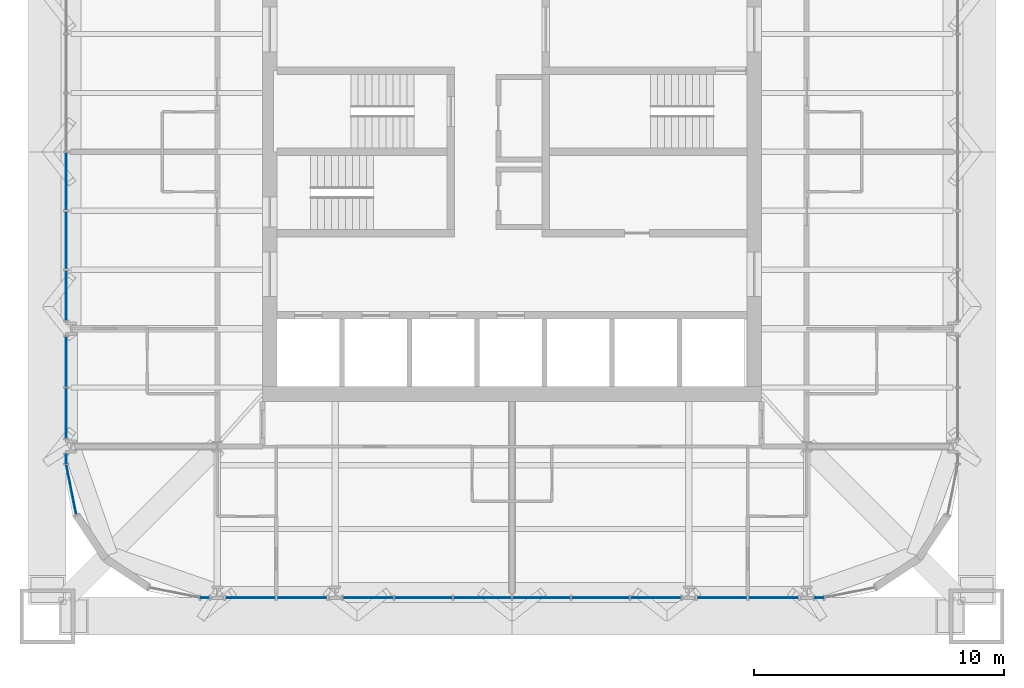
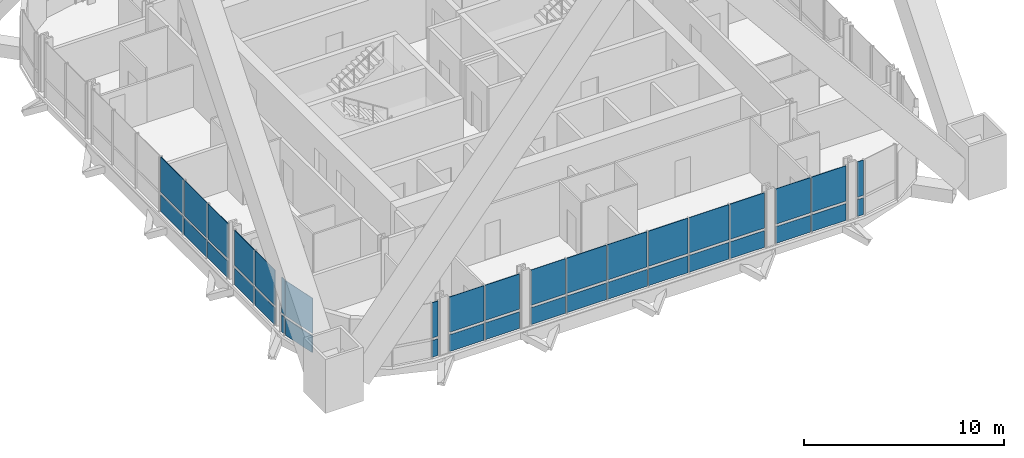
# One storey, part 14 of 23: 38 plates, 9 elements without a shape of their own.
"""IFC4 building model written with IfcOpenShell, lengths in metres."""

from ifc_helpers import new_model, si_unit, direction, frame, origin, origin_2d, place, context, subcontext, project, spatial, rectangle, extrude, material, layer, layer_set, type_object, element, aggregate, save


model = new_model("IFC4")

# Units and contexts
model_context = context("Model", 3, precision=1e-05, world=origin(), true_north=direction((0.0, 1.0)))
body_context = subcontext(model_context, "Body", "Model", "MODEL_VIEW")
ifc_project = project(units=[si_unit("LENGTHUNIT", "METRE"), si_unit("AREAUNIT", "SQUARE_METRE"), si_unit("VOLUMEUNIT", "CUBIC_METRE"), si_unit("PLANEANGLEUNIT", "RADIAN"), si_unit("MASSUNIT", "GRAM", prefix="KILO")], contexts=[model_context])

# Site, building, storey
site_placement = place(None, origin())
site = spatial("IfcSite", under=ifc_project, at=site_placement, CompositionType="ELEMENT")
building_placement = place(site_placement, origin())
building = spatial("IfcBuilding", under=site, at=building_placement, Name="Turquesa Mirador Hotel Tower", CompositionType="ELEMENT")
storey_placement = place(building_placement, frame((0.0, 0.0, 226.699951171875)))
storey = spatial("IfcBuildingStorey", under=building, at=storey_placement, Name="L61", CompositionType="ELEMENT", Elevation=226.699951171875)

# Curtain wall, plates
ifc_material_1 = material(Name="Aluminium extrusion", Category="aluminium")
curtain_wall_type = type_object("IfcCurtainWallType", Name="CW-4 SUITE FRITTED CURTAIN WALL", PredefinedType="USERDEFINED", material=ifc_material_1)
curtain_wall_1_placement = place(storey_placement, origin())
curtain_wall_1 = element("IfcCurtainWall", 1, at=curtain_wall_1_placement, inside=storey, type_object=curtain_wall_type, Name="CW-4 SUITE FRITTED CURTAIN WALL L61", ObjectType="CURTAIN WALL", PredefinedType="USERDEFINED")
ifc_material_2 = material(Name="Ceramic-printed spandrel glass on an insulated back pan", Category="glass")
ifc_layer_1 = layer(ifc_material_2, 0.050048828125)
ifc_layer_set_1 = layer_set([ifc_layer_1], Name="CW PANEL SPANDREL CERAMIC")
plate_type_1 = type_object("IfcPlateType", Name="CW PANEL SPANDREL CERAMIC", PredefinedType="CURTAIN_PANEL", material=ifc_layer_set_1)
plate_1_placement = place(storey_placement, frame((37.14990234375, 43.820068359375, 0.0), z_axis=(0.0, 0.0, 1.0), x_axis=(0.0, -1.0, 0.0)))
plate_1 = element("IfcPlate", 2, at=plate_1_placement, type_object=plate_type_1, Name="Panel", PredefinedType="CURTAIN_PANEL", context=body_context, shape_type="SweptSolid", body=[
    extrude(rectangle(XDim=2.294921875, YDim=0.050048828125, at=origin_2d()), origin(), (0.0, 0.0, 1.0), 1.02490234375),
])
plate_2_placement = place(storey_placement, frame((37.14990234375, 41.4599609375, 0.0), z_axis=(0.0, 0.0, 1.0), x_axis=(0.0, -1.0, 0.0)))
plate_2 = element("IfcPlate", 3, at=plate_2_placement, type_object=plate_type_1, Name="Panel", PredefinedType="CURTAIN_PANEL", context=body_context, shape_type="SweptSolid", body=[
    extrude(rectangle(XDim=2.294921875, YDim=0.050048828125, at=origin_2d()), origin(), (0.0, 0.0, 1.0), 1.02490234375),
])
plate_3_placement = place(storey_placement, frame((37.14990234375, 39.25, 0.0), z_axis=(0.0, 0.0, 1.0), x_axis=(0.0, -1.0, 0.0)))
plate_3 = element("IfcPlate", 4, at=plate_3_placement, type_object=plate_type_1, Name="Panel", PredefinedType="CURTAIN_PANEL", context=body_context, shape_type="SweptSolid", body=[
    extrude(rectangle(XDim=1.9951171875, YDim=0.050048828125, at=origin_2d()), origin(), (0.0, 0.0, 1.0), 1.02490234375),
])

curtain_wall_2_placement = place(storey_placement, origin())
curtain_wall_2 = element("IfcCurtainWall", 5, at=curtain_wall_2_placement, inside=storey, type_object=curtain_wall_type, Name="CW-4 SUITE FRITTED CURTAIN WALL L61", ObjectType="CURTAIN WALL", PredefinedType="USERDEFINED")
plate_4_placement = place(storey_placement, frame((37.14990234375, 36.590087890625, 0.0), z_axis=(0.0, 0.0, 1.0), x_axis=(0.0, -1.0, 0.0)))
plate_4 = element("IfcPlate", 6, at=plate_4_placement, type_object=plate_type_1, Name="Panel", PredefinedType="CURTAIN_PANEL", context=body_context, shape_type="SweptSolid", body=[
    extrude(rectangle(XDim=1.9951171875, YDim=0.050048828125, at=origin_2d()), origin(), (0.0, 0.0, 1.0), 1.02490234375),
])
plate_5_placement = place(storey_placement, frame((37.14990234375, 34.530029296875, 0.0), z_axis=(0.0, 0.0, 1.0), x_axis=(0.0, -1.0, 0.0)))
plate_5 = element("IfcPlate", 7, at=plate_5_placement, type_object=plate_type_1, Name="Panel", PredefinedType="CURTAIN_PANEL", context=body_context, shape_type="SweptSolid", body=[
    extrude(rectangle(XDim=1.9951171875, YDim=0.050048828125, at=origin_2d()), origin(), (0.0, 0.0, 1.0), 1.02490234375),
])

# Curtain wall, plate
curtain_wall_3_placement = place(storey_placement, origin())
curtain_wall_3 = element("IfcCurtainWall", 8, at=curtain_wall_3_placement, inside=storey, type_object=curtain_wall_type, Name="CW-4 SUITE FRITTED CURTAIN WALL L61", ObjectType="CURTAIN WALL", PredefinedType="USERDEFINED")
plate_6_placement = place(storey_placement, frame((37.14990234375, 32.699951171875, 0.0), z_axis=(0.0, 0.0, 1.0), x_axis=(0.0, -1.0, 0.0)))
plate_6 = element("IfcPlate", 9, at=plate_6_placement, type_object=plate_type_1, Name="Panel", PredefinedType="CURTAIN_PANEL", context=body_context, shape_type="SweptSolid", body=[
    extrude(rectangle(XDim=0.3349609375, YDim=0.050048828125, at=origin_2d()), origin(), (0.0, 0.0, 1.0), 1.02490234375),
])

curtain_wall_4_placement = place(storey_placement, origin())
curtain_wall_4 = element("IfcCurtainWall", 10, at=curtain_wall_4_placement, inside=storey, type_object=curtain_wall_type, Name="CW-4 SUITE FRITTED CURTAIN WALL L61", ObjectType="CURTAIN WALL", PredefinedType="USERDEFINED")
plate_7_placement = place(storey_placement, frame((37.353515625, 31.476318359375, 0.0), z_axis=(0.0, 0.0, 1.0), x_axis=(0.195090585221, -0.980785228048, 0.0)))
plate_7 = element("IfcPlate", 11, at=plate_7_placement, type_object=plate_type_1, Name="Panel", PredefinedType="CURTAIN_PANEL", context=body_context, shape_type="SweptSolid", body=[
    extrude(rectangle(XDim=2.0224609375, YDim=0.050048828125, at=origin_2d()), origin(), (0.0, 0.0, 1.0), 1.02490234375),
])

curtain_wall_5_placement = place(storey_placement, origin())
curtain_wall_5 = element("IfcCurtainWall", 12, at=curtain_wall_5_placement, inside=storey, type_object=curtain_wall_type, Name="CW-4 SUITE FRITTED CURTAIN WALL L61", ObjectType="CURTAIN WALL", PredefinedType="USERDEFINED")
plate_8_placement = place(storey_placement, frame((42.699951171875, 27.14990234375, 0.0), z_axis=(0.0, 0.0, 1.0), x_axis=(1.0, 0.0, 0.0)))
plate_8 = element("IfcPlate", 13, at=plate_8_placement, type_object=plate_type_1, Name="Panel", PredefinedType="CURTAIN_PANEL", context=body_context, shape_type="SweptSolid", body=[
    extrude(rectangle(XDim=0.3349609375, YDim=0.050048828125, at=origin_2d()), origin(), (0.0, 0.0, 1.0), 1.02490234375),
])

# Curtain wall, plates
curtain_wall_6_placement = place(storey_placement, origin())
curtain_wall_6 = element("IfcCurtainWall", 14, at=curtain_wall_6_placement, inside=storey, type_object=curtain_wall_type, Name="CW-4 SUITE FRITTED CURTAIN WALL L61", ObjectType="CURTAIN WALL", PredefinedType="USERDEFINED")
plate_9_placement = place(storey_placement, frame((44.530029296875, 27.14990234375, 0.0), z_axis=(0.0, 0.0, 1.0), x_axis=(1.0, 0.0, 0.0)))
plate_9 = element("IfcPlate", 15, at=plate_9_placement, type_object=plate_type_1, Name="Panel", PredefinedType="CURTAIN_PANEL", context=body_context, shape_type="SweptSolid", body=[
    extrude(rectangle(XDim=1.9951171875, YDim=0.050048828125, at=origin_2d()), origin(), (0.0, 0.0, 1.0), 1.02490234375),
])
plate_10_placement = place(storey_placement, frame((46.590087890625, 27.14990234375, 0.0), z_axis=(0.0, 0.0, 1.0), x_axis=(1.0, 0.0, 0.0)))
plate_10 = element("IfcPlate", 16, at=plate_10_placement, type_object=plate_type_1, Name="Panel", PredefinedType="CURTAIN_PANEL", context=body_context, shape_type="SweptSolid", body=[
    extrude(rectangle(XDim=1.9951171875, YDim=0.050048828125, at=origin_2d()), origin(), (0.0, 0.0, 1.0), 1.02490234375),
])

curtain_wall_7_placement = place(storey_placement, origin())
curtain_wall_7 = element("IfcCurtainWall", 17, at=curtain_wall_7_placement, inside=storey, type_object=curtain_wall_type, Name="CW-4 SUITE FRITTED CURTAIN WALL L61", ObjectType="CURTAIN WALL", PredefinedType="USERDEFINED")
plate_11_placement = place(storey_placement, frame((49.25, 27.14990234375, 0.0), z_axis=(0.0, 0.0, 1.0), x_axis=(1.0, 0.0, 0.0)))
plate_11 = element("IfcPlate", 18, at=plate_11_placement, type_object=plate_type_1, Name="Panel", PredefinedType="CURTAIN_PANEL", context=body_context, shape_type="SweptSolid", body=[
    extrude(rectangle(XDim=1.9951171875, YDim=0.050048828125, at=origin_2d()), origin(), (0.0, 0.0, 1.0), 1.02490234375),
])
plate_12_placement = place(storey_placement, frame((51.4599609375, 27.14990234375, 0.0), z_axis=(0.0, 0.0, 1.0), x_axis=(1.0, 0.0, 0.0)))
plate_12 = element("IfcPlate", 19, at=plate_12_placement, type_object=plate_type_1, Name="Panel", PredefinedType="CURTAIN_PANEL", context=body_context, shape_type="SweptSolid", body=[
    extrude(rectangle(XDim=2.294921875, YDim=0.050048828125, at=origin_2d()), origin(), (0.0, 0.0, 1.0), 1.02490234375),
])
plate_13_placement = place(storey_placement, frame((53.820068359375, 27.14990234375, 0.0), z_axis=(0.0, 0.0, 1.0), x_axis=(1.0, 0.0, 0.0)))
plate_13 = element("IfcPlate", 20, at=plate_13_placement, type_object=plate_type_1, Name="Panel", PredefinedType="CURTAIN_PANEL", context=body_context, shape_type="SweptSolid", body=[
    extrude(rectangle(XDim=2.294921875, YDim=0.050048828125, at=origin_2d()), origin(), (0.0, 0.0, 1.0), 1.02490234375),
])
plate_14_placement = place(storey_placement, frame((56.179931640625, 27.14990234375, 0.0), z_axis=(0.0, 0.0, 1.0), x_axis=(1.0, 0.0, 0.0)))
plate_14 = element("IfcPlate", 21, at=plate_14_placement, type_object=plate_type_1, Name="Panel", PredefinedType="CURTAIN_PANEL", context=body_context, shape_type="SweptSolid", body=[
    extrude(rectangle(XDim=2.294921875, YDim=0.050048828125, at=origin_2d()), origin(), (0.0, 0.0, 1.0), 1.02490234375),
])
plate_15_placement = place(storey_placement, frame((58.5400390625, 27.14990234375, 0.0), z_axis=(0.0, 0.0, 1.0), x_axis=(1.0, 0.0, 0.0)))
plate_15 = element("IfcPlate", 22, at=plate_15_placement, type_object=plate_type_1, Name="Panel", PredefinedType="CURTAIN_PANEL", context=body_context, shape_type="SweptSolid", body=[
    extrude(rectangle(XDim=2.294921875, YDim=0.050048828125, at=origin_2d()), origin(), (0.0, 0.0, 1.0), 1.02490234375),
])
plate_16_placement = place(storey_placement, frame((60.75, 27.14990234375, 0.0), z_axis=(0.0, 0.0, 1.0), x_axis=(1.0, 0.0, 0.0)))
plate_16 = element("IfcPlate", 23, at=plate_16_placement, type_object=plate_type_1, Name="Panel", PredefinedType="CURTAIN_PANEL", context=body_context, shape_type="SweptSolid", body=[
    extrude(rectangle(XDim=1.9951171875, YDim=0.050048828125, at=origin_2d()), origin(), (0.0, 0.0, 1.0), 1.02490234375),
])

curtain_wall_8_placement = place(storey_placement, origin())
curtain_wall_8 = element("IfcCurtainWall", 24, at=curtain_wall_8_placement, inside=storey, type_object=curtain_wall_type, Name="CW-4 SUITE FRITTED CURTAIN WALL L61", ObjectType="CURTAIN WALL", PredefinedType="USERDEFINED")
plate_17_placement = place(storey_placement, frame((63.409912109375, 27.14990234375, 0.0), z_axis=(0.0, 0.0, 1.0), x_axis=(1.0, 0.0, 0.0)))
plate_17 = element("IfcPlate", 25, at=plate_17_placement, type_object=plate_type_1, Name="Panel", PredefinedType="CURTAIN_PANEL", context=body_context, shape_type="SweptSolid", body=[
    extrude(rectangle(XDim=1.9951171875, YDim=0.050048828125, at=origin_2d()), origin(), (0.0, 0.0, 1.0), 1.02490234375),
])
plate_18_placement = place(storey_placement, frame((65.469970703125, 27.14990234375, 0.0), z_axis=(0.0, 0.0, 1.0), x_axis=(1.0, 0.0, 0.0)))
plate_18 = element("IfcPlate", 26, at=plate_18_placement, type_object=plate_type_1, Name="Panel", PredefinedType="CURTAIN_PANEL", context=body_context, shape_type="SweptSolid", body=[
    extrude(rectangle(XDim=1.9951171875, YDim=0.050048828125, at=origin_2d()), origin(), (0.0, 0.0, 1.0), 1.02490234375),
])

# Curtain wall, plate
curtain_wall_9_placement = place(storey_placement, origin())
curtain_wall_9 = element("IfcCurtainWall", 27, at=curtain_wall_9_placement, inside=storey, type_object=curtain_wall_type, Name="CW-4 SUITE FRITTED CURTAIN WALL L61", ObjectType="CURTAIN WALL", PredefinedType="USERDEFINED")
plate_19_placement = place(storey_placement, frame((67.300048828125, 27.14990234375, 0.0), z_axis=(0.0, 0.0, 1.0), x_axis=(1.0, 0.0, 0.0)))
plate_19 = element("IfcPlate", 28, at=plate_19_placement, type_object=plate_type_1, Name="Panel", PredefinedType="CURTAIN_PANEL", context=body_context, shape_type="SweptSolid", body=[
    extrude(rectangle(XDim=0.3349609375, YDim=0.050048828125, at=origin_2d()), origin(), (0.0, 0.0, 1.0), 1.02490234375),
])

# Plate
ifc_material_3 = material(Name="Ceramic-fritted laminated glass", Category="glass")
ifc_layer_2 = layer(ifc_material_3, 0.031982421875)
ifc_layer_set_2 = layer_set([ifc_layer_2], Name="CW PANEL VISION FRITTED")
plate_type_2 = type_object("IfcPlateType", Name="CW PANEL VISION FRITTED", PredefinedType="CURTAIN_PANEL", material=ifc_layer_set_2)
plate_20_placement = place(storey_placement, frame((37.14990234375, 43.820068359375, 1.1748046875), z_axis=(0.0, 0.0, 1.0), x_axis=(0.0, -1.0, 0.0)))
plate_20 = element("IfcPlate", 29, at=plate_20_placement, type_object=plate_type_2, Name="Panel", PredefinedType="CURTAIN_PANEL", context=body_context, shape_type="SweptSolid", body=[
    extrude(rectangle(XDim=2.294921875, YDim=0.031982421875, at=origin_2d()), origin(), (0.0, 0.0, 1.0), 2.155029296875),
])

plate_21_placement = place(storey_placement, frame((37.14990234375, 41.4599609375, 1.1748046875), z_axis=(0.0, 0.0, 1.0), x_axis=(0.0, -1.0, 0.0)))
plate_21 = element("IfcPlate", 30, at=plate_21_placement, type_object=plate_type_2, Name="Panel", PredefinedType="CURTAIN_PANEL", context=body_context, shape_type="SweptSolid", body=[
    extrude(rectangle(XDim=2.294921875, YDim=0.031982421875, at=origin_2d()), origin(), (0.0, 0.0, 1.0), 2.155029296875),
])

plate_22_placement = place(storey_placement, frame((37.14990234375, 39.25, 1.1748046875), z_axis=(0.0, 0.0, 1.0), x_axis=(0.0, -1.0, 0.0)))
plate_22 = element("IfcPlate", 31, at=plate_22_placement, type_object=plate_type_2, Name="Panel", PredefinedType="CURTAIN_PANEL", context=body_context, shape_type="SweptSolid", body=[
    extrude(rectangle(XDim=1.9951171875, YDim=0.031982421875, at=origin_2d()), origin(), (0.0, 0.0, 1.0), 2.155029296875),
])

aggregate(curtain_wall_1, [plate_1, plate_20, plate_2, plate_21, plate_3, plate_22])

plate_23_placement = place(storey_placement, frame((37.14990234375, 36.590087890625, 1.1748046875), z_axis=(0.0, 0.0, 1.0), x_axis=(0.0, -1.0, 0.0)))
plate_23 = element("IfcPlate", 32, at=plate_23_placement, type_object=plate_type_2, Name="Panel", PredefinedType="CURTAIN_PANEL", context=body_context, shape_type="SweptSolid", body=[
    extrude(rectangle(XDim=1.9951171875, YDim=0.031982421875, at=origin_2d()), origin(), (0.0, 0.0, 1.0), 2.155029296875),
])

plate_24_placement = place(storey_placement, frame((37.14990234375, 34.530029296875, 1.1748046875), z_axis=(0.0, 0.0, 1.0), x_axis=(0.0, -1.0, 0.0)))
plate_24 = element("IfcPlate", 33, at=plate_24_placement, type_object=plate_type_2, Name="Panel", PredefinedType="CURTAIN_PANEL", context=body_context, shape_type="SweptSolid", body=[
    extrude(rectangle(XDim=1.9951171875, YDim=0.031982421875, at=origin_2d()), origin(), (0.0, 0.0, 1.0), 2.155029296875),
])

aggregate(curtain_wall_2, [plate_4, plate_23, plate_5, plate_24])

plate_25_placement = place(storey_placement, frame((37.14990234375, 32.699951171875, 1.1748046875), z_axis=(0.0, 0.0, 1.0), x_axis=(0.0, -1.0, 0.0)))
plate_25 = element("IfcPlate", 34, at=plate_25_placement, type_object=plate_type_2, Name="Panel", PredefinedType="CURTAIN_PANEL", context=body_context, shape_type="SweptSolid", body=[
    extrude(rectangle(XDim=0.3349609375, YDim=0.031982421875, at=origin_2d()), origin(), (0.0, 0.0, 1.0), 2.155029296875),
])

aggregate(curtain_wall_3, [plate_6, plate_25])

plate_26_placement = place(storey_placement, frame((37.353515625, 31.476318359375, 1.1748046875), z_axis=(0.0, 0.0, 1.0), x_axis=(0.195090585221, -0.980785228048, 0.0)))
plate_26 = element("IfcPlate", 35, at=plate_26_placement, type_object=plate_type_2, Name="Panel", PredefinedType="CURTAIN_PANEL", context=body_context, shape_type="SweptSolid", body=[
    extrude(rectangle(XDim=2.0224609375, YDim=0.031982421875, at=origin_2d()), origin(), (0.0, 0.0, 1.0), 2.155029296875),
])

aggregate(curtain_wall_4, [plate_7, plate_26])

plate_27_placement = place(storey_placement, frame((42.699951171875, 27.14990234375, 1.1748046875), z_axis=(0.0, 0.0, 1.0), x_axis=(1.0, 0.0, 0.0)))
plate_27 = element("IfcPlate", 36, at=plate_27_placement, type_object=plate_type_2, Name="Panel", PredefinedType="CURTAIN_PANEL", context=body_context, shape_type="SweptSolid", body=[
    extrude(rectangle(XDim=0.3349609375, YDim=0.031982421875, at=origin_2d()), origin(), (0.0, 0.0, 1.0), 2.155029296875),
])

aggregate(curtain_wall_5, [plate_8, plate_27])

plate_28_placement = place(storey_placement, frame((44.530029296875, 27.14990234375, 1.1748046875), z_axis=(0.0, 0.0, 1.0), x_axis=(1.0, 0.0, 0.0)))
plate_28 = element("IfcPlate", 37, at=plate_28_placement, type_object=plate_type_2, Name="Panel", PredefinedType="CURTAIN_PANEL", context=body_context, shape_type="SweptSolid", body=[
    extrude(rectangle(XDim=1.9951171875, YDim=0.031982421875, at=origin_2d()), origin(), (0.0, 0.0, 1.0), 2.155029296875),
])

plate_29_placement = place(storey_placement, frame((46.590087890625, 27.14990234375, 1.1748046875), z_axis=(0.0, 0.0, 1.0), x_axis=(1.0, 0.0, 0.0)))
plate_29 = element("IfcPlate", 38, at=plate_29_placement, type_object=plate_type_2, Name="Panel", PredefinedType="CURTAIN_PANEL", context=body_context, shape_type="SweptSolid", body=[
    extrude(rectangle(XDim=1.9951171875, YDim=0.031982421875, at=origin_2d()), origin(), (0.0, 0.0, 1.0), 2.155029296875),
])

aggregate(curtain_wall_6, [plate_9, plate_28, plate_10, plate_29])

plate_30_placement = place(storey_placement, frame((49.25, 27.14990234375, 1.1748046875), z_axis=(0.0, 0.0, 1.0), x_axis=(1.0, 0.0, 0.0)))
plate_30 = element("IfcPlate", 39, at=plate_30_placement, type_object=plate_type_2, Name="Panel", PredefinedType="CURTAIN_PANEL", context=body_context, shape_type="SweptSolid", body=[
    extrude(rectangle(XDim=1.9951171875, YDim=0.031982421875, at=origin_2d()), origin(), (0.0, 0.0, 1.0), 2.155029296875),
])

plate_31_placement = place(storey_placement, frame((51.4599609375, 27.14990234375, 1.1748046875), z_axis=(0.0, 0.0, 1.0), x_axis=(1.0, 0.0, 0.0)))
plate_31 = element("IfcPlate", 40, at=plate_31_placement, type_object=plate_type_2, Name="Panel", PredefinedType="CURTAIN_PANEL", context=body_context, shape_type="SweptSolid", body=[
    extrude(rectangle(XDim=2.294921875, YDim=0.031982421875, at=origin_2d()), origin(), (0.0, 0.0, 1.0), 2.155029296875),
])

plate_32_placement = place(storey_placement, frame((53.820068359375, 27.14990234375, 1.1748046875), z_axis=(0.0, 0.0, 1.0), x_axis=(1.0, 0.0, 0.0)))
plate_32 = element("IfcPlate", 41, at=plate_32_placement, type_object=plate_type_2, Name="Panel", PredefinedType="CURTAIN_PANEL", context=body_context, shape_type="SweptSolid", body=[
    extrude(rectangle(XDim=2.294921875, YDim=0.031982421875, at=origin_2d()), origin(), (0.0, 0.0, 1.0), 2.155029296875),
])

plate_33_placement = place(storey_placement, frame((56.179931640625, 27.14990234375, 1.1748046875), z_axis=(0.0, 0.0, 1.0), x_axis=(1.0, 0.0, 0.0)))
plate_33 = element("IfcPlate", 42, at=plate_33_placement, type_object=plate_type_2, Name="Panel", PredefinedType="CURTAIN_PANEL", context=body_context, shape_type="SweptSolid", body=[
    extrude(rectangle(XDim=2.294921875, YDim=0.031982421875, at=origin_2d()), origin(), (0.0, 0.0, 1.0), 2.155029296875),
])

plate_34_placement = place(storey_placement, frame((58.5400390625, 27.14990234375, 1.1748046875), z_axis=(0.0, 0.0, 1.0), x_axis=(1.0, 0.0, 0.0)))
plate_34 = element("IfcPlate", 43, at=plate_34_placement, type_object=plate_type_2, Name="Panel", PredefinedType="CURTAIN_PANEL", context=body_context, shape_type="SweptSolid", body=[
    extrude(rectangle(XDim=2.294921875, YDim=0.031982421875, at=origin_2d()), origin(), (0.0, 0.0, 1.0), 2.155029296875),
])

plate_35_placement = place(storey_placement, frame((60.75, 27.14990234375, 1.1748046875), z_axis=(0.0, 0.0, 1.0), x_axis=(1.0, 0.0, 0.0)))
plate_35 = element("IfcPlate", 44, at=plate_35_placement, type_object=plate_type_2, Name="Panel", PredefinedType="CURTAIN_PANEL", context=body_context, shape_type="SweptSolid", body=[
    extrude(rectangle(XDim=1.9951171875, YDim=0.031982421875, at=origin_2d()), origin(), (0.0, 0.0, 1.0), 2.155029296875),
])

aggregate(curtain_wall_7, [plate_11, plate_30, plate_12, plate_31, plate_13, plate_32, plate_14, plate_33, plate_15, plate_34, plate_16, plate_35])

plate_36_placement = place(storey_placement, frame((63.409912109375, 27.14990234375, 1.1748046875), z_axis=(0.0, 0.0, 1.0), x_axis=(1.0, 0.0, 0.0)))
plate_36 = element("IfcPlate", 45, at=plate_36_placement, type_object=plate_type_2, Name="Panel", PredefinedType="CURTAIN_PANEL", context=body_context, shape_type="SweptSolid", body=[
    extrude(rectangle(XDim=1.9951171875, YDim=0.031982421875, at=origin_2d()), origin(), (0.0, 0.0, 1.0), 2.155029296875),
])

plate_37_placement = place(storey_placement, frame((65.469970703125, 27.14990234375, 1.1748046875), z_axis=(0.0, 0.0, 1.0), x_axis=(1.0, 0.0, 0.0)))
plate_37 = element("IfcPlate", 46, at=plate_37_placement, type_object=plate_type_2, Name="Panel", PredefinedType="CURTAIN_PANEL", context=body_context, shape_type="SweptSolid", body=[
    extrude(rectangle(XDim=1.9951171875, YDim=0.031982421875, at=origin_2d()), origin(), (0.0, 0.0, 1.0), 2.155029296875),
])

aggregate(curtain_wall_8, [plate_17, plate_36, plate_18, plate_37])

plate_38_placement = place(storey_placement, frame((67.300048828125, 27.14990234375, 1.1748046875), z_axis=(0.0, 0.0, 1.0), x_axis=(1.0, 0.0, 0.0)))
plate_38 = element("IfcPlate", 47, at=plate_38_placement, type_object=plate_type_2, Name="Panel", PredefinedType="CURTAIN_PANEL", context=body_context, shape_type="SweptSolid", body=[
    extrude(rectangle(XDim=0.3349609375, YDim=0.031982421875, at=origin_2d()), origin(), (0.0, 0.0, 1.0), 2.155029296875),
])

aggregate(curtain_wall_9, [plate_19, plate_38])

save(model, "model.ifc")
